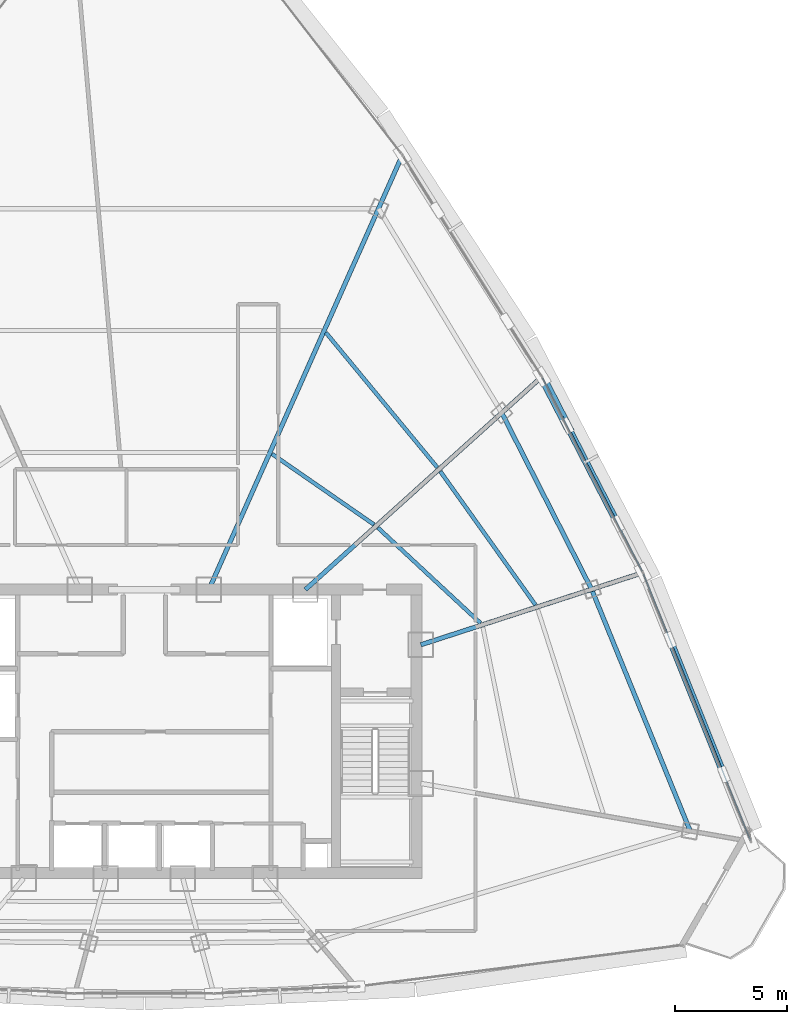
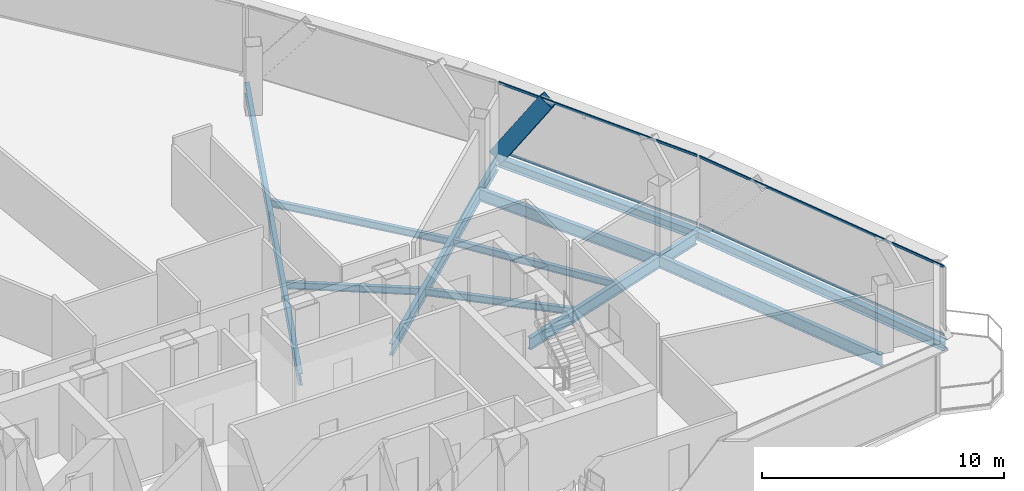
# One storey, part 14 of 30: 11 beams, 5 members, 2 elements without a shape of their own.
"""IFC4 building model written with IfcOpenShell, lengths in metres."""

import ifcopenshell
import ifcopenshell.guid

model = None  # the IFC model being written
_history = None  # IfcOwnerHistory: only IFC2X3 demands one
_inside = {}  # id of a spatial element -> (the spatial element, [elements in it])
_under = {}  # id of a project, library or spatial element -> (it, [spatial elements below it])
_declared = {}  # id of a project -> (the project, [libraries it declares])
_typed = {}  # id of a type object -> (the type object, [elements of that type])
_made_of = {}  # id of a material, layer set ... -> (it, [elements and type objects made of it])


def new_model(schema):
    """Start an empty IFC model of exactly this schema.

    Asked for "IFC4X3", IfcOpenShell would pick the latest addendum, in which some entities
    have other attributes; the version numbers below select the first issue.
    IFC2X3 requires an IfcOwnerHistory on every rooted entity: one is made here for all.
    """
    global model, _history
    if schema == "IFC4X3":
        model = ifcopenshell.file(schema_version=(4, 3, 0, 0))
    else:
        model = ifcopenshell.file(schema=schema)
    _inside.clear()
    _under.clear()
    _declared.clear()
    _typed.clear()
    _made_of.clear()
    _history = None
    if model.schema == "IFC2X3":
        org = make("IfcOrganization", Name="unknown")
        user = make(
            "IfcPersonAndOrganization",
            ThePerson=make("IfcPerson", FamilyName="unknown"),
            TheOrganization=org,
        )
        app = make(
            "IfcApplication",
            ApplicationDeveloper=org,
            Version="unknown",
            ApplicationFullName="unknown",
            ApplicationIdentifier="unknown",
        )
        _history = make(
            "IfcOwnerHistory",
            OwningUser=user,
            OwningApplication=app,
            ChangeAction="ADDED",
            CreationDate=0,
        )
    return model


def make(cls, **values):
    """One entity of the class cls with the attributes given. An attribute that is None is left unset."""
    return model.create_entity(
        cls, **{name: value for name, value in values.items() if value is not None}
    )


def rooted(cls, **values):
    """An entity with a GlobalId (a new one), such as an element, a storey or a relation."""
    return make(cls, GlobalId=ifcopenshell.guid.new(), OwnerHistory=_history, **values)


def si_unit(unit_type, name, prefix=None):
    """IfcSIUnit, for example si_unit("LENGTHUNIT", "METRE", prefix="MILLI")."""
    return make("IfcSIUnit", UnitType=unit_type, Prefix=prefix, Name=name)


def assignment(units):
    """IfcUnitAssignment: the units of a project."""
    return None if units is None else make("IfcUnitAssignment", Units=units)


def point(xyz):
    """IfcCartesianPoint."""
    return None if xyz is None else make("IfcCartesianPoint", Coordinates=xyz)


def direction(xyz):
    """IfcDirection."""
    return None if xyz is None else make("IfcDirection", DirectionRatios=xyz)


def frame(location, z_axis=None, x_axis=None):
    """IfcAxis2Placement3D, a coordinate frame: its origin and axes. An axis left out is left unset."""
    return make(
        "IfcAxis2Placement3D",
        Location=point(location),
        Axis=direction(z_axis),
        RefDirection=direction(x_axis),
    )


def frame_2d(location, x_axis=None):
    """IfcAxis2Placement2D, a coordinate frame in the plane: its origin and x axis."""
    return make(
        "IfcAxis2Placement2D", Location=point(location), RefDirection=direction(x_axis)
    )


def origin():
    """The frame at (0, 0, 0) with its axes left unset."""
    return frame((0.0, 0.0, 0.0))


def origin_2d():
    """The frame at (0, 0) in the plane with its x axis left unset."""
    return frame_2d((0.0, 0.0))


def place(relative_to, where):
    """IfcLocalPlacement: puts the frame where relative to a parent placement (None: the world)."""
    return make(
        "IfcLocalPlacement", PlacementRelTo=relative_to, RelativePlacement=where
    )


def context(
    kind, dimensions, precision=None, world=None, true_north=None, identifier=None
):
    """IfcGeometricRepresentationContext, for example the 3D "Model" context."""
    return make(
        "IfcGeometricRepresentationContext",
        ContextIdentifier=identifier,
        ContextType=kind,
        CoordinateSpaceDimension=dimensions,
        Precision=precision,
        WorldCoordinateSystem=world,
        TrueNorth=true_north,
    )


def subcontext(parent, identifier, kind, view, scale=None):
    """IfcGeometricRepresentationSubContext, for example "Body" below "Model"."""
    return make(
        "IfcGeometricRepresentationSubContext",
        ContextIdentifier=identifier,
        ContextType=kind,
        ParentContext=parent,
        TargetScale=scale,
        TargetView=view,
    )


def project(units=None, contexts=None):
    """IfcProject with its units and contexts."""
    return rooted(
        "IfcProject",
        Name="project",
        RepresentationContexts=contexts,
        UnitsInContext=assignment(units),
    )


def spatial(cls, under=None, at=None, **own):
    """A site, building, storey or space (cls), placed at a placement, below another one or the project."""
    s = rooted(cls, ObjectPlacement=at, **own)
    if under is not None:
        _under.setdefault(under.id(), (under, []))[1].append(s)
    return s


def profile(cls, at=None, kind="AREA", **sizes):
    """A parametric profile (cls). Its sizes go by their IFC names, for example OverallWidth=200.0."""
    return make(cls, ProfileType=kind, Position=at, **sizes)


def hollow_rectangle(**sizes):
    """IfcRectangleHollowProfileDef."""
    return profile("IfcRectangleHollowProfileDef", **sizes)


def i_section(**sizes):
    """IfcIShapeProfileDef."""
    return profile("IfcIShapeProfileDef", **sizes)


def extrude(swept, where, along, depth):
    """IfcExtrudedAreaSolid: the profile swept, set in the frame where, extruded along a direction by depth."""
    return make(
        "IfcExtrudedAreaSolid",
        SweptArea=swept,
        Position=where,
        ExtrudedDirection=direction(along),
        Depth=depth,
    )


def shape(context_of_items, identifier, shape_type, items):
    """IfcShapeRepresentation: the items that make up one representation, for example the "Body"."""
    return make(
        "IfcShapeRepresentation",
        ContextOfItems=context_of_items,
        RepresentationIdentifier=identifier,
        RepresentationType=shape_type,
        Items=items,
    )


def source(mapping_origin, context_of_items, identifier, shape_type, items):
    """IfcRepresentationMap: a shape defined once, which mapped items show again and again."""
    return make(
        "IfcRepresentationMap",
        MappingOrigin=mapping_origin,
        MappedRepresentation=shape(context_of_items, identifier, shape_type, items),
    )


def transform(
    local_origin,
    x_axis=None,
    y_axis=None,
    z_axis=None,
    scale=None,
    scale2=None,
    scale3=None,
    uniform=True,
):
    """IfcCartesianTransformationOperator3D, or its non-uniform kind. x_axis, y_axis, z_axis: its Axis1, 2, 3."""
    if uniform:
        return make(
            "IfcCartesianTransformationOperator3D",
            Axis1=direction(x_axis),
            Axis2=direction(y_axis),
            LocalOrigin=point(local_origin),
            Scale=scale,
            Axis3=direction(z_axis),
        )
    return make(
        "IfcCartesianTransformationOperator3DnonUniform",
        Axis1=direction(x_axis),
        Axis2=direction(y_axis),
        LocalOrigin=point(local_origin),
        Scale=scale,
        Axis3=direction(z_axis),
        Scale2=scale2,
        Scale3=scale3,
    )


def mapped(mapping_source, mapping_target):
    """IfcMappedItem: shows the shape of a source again, moved by a transform."""
    return make(
        "IfcMappedItem", MappingSource=mapping_source, MappingTarget=mapping_target
    )


def material(Name=None, Category=None):
    """IfcMaterial."""
    return make("IfcMaterial", Name=Name, Category=Category)


def layer(
    of_material, thickness, ventilated=None, Name=None, Category=None, Priority=None
):
    """IfcMaterialLayer: one layer of a wall or slab, of a material (None: an air gap)."""
    return make(
        "IfcMaterialLayer",
        Material=of_material,
        LayerThickness=thickness,
        IsVentilated=ventilated,
        Name=Name,
        Category=Category,
        Priority=Priority,
    )


def layer_set(layers, Name=None):
    """IfcMaterialLayerSet."""
    return make("IfcMaterialLayerSet", MaterialLayers=layers, LayerSetName=Name)


def material_profile(
    of_material, cross_section, Name=None, Category=None, Priority=None
):
    """IfcMaterialProfile: a cross section and its material."""
    return make(
        "IfcMaterialProfile",
        Name=Name,
        Material=of_material,
        Profile=cross_section,
        Priority=Priority,
        Category=Category,
    )


def profile_set(profiles, Name=None, composite=None):
    """IfcMaterialProfileSet."""
    return make(
        "IfcMaterialProfileSet",
        Name=Name,
        MaterialProfiles=profiles,
        CompositeProfile=composite,
    )


def made_of(thing, what):
    """Note that an element or type object is made of a material, layer set ...; save() writes the relation."""
    if what is not None:
        _made_of.setdefault(what.id(), (what, []))[1].append(thing)
    return thing


def type_object(cls, material=None, **own):
    """A type object (cls), such as IfcWallType, which elements share."""
    return made_of(rooted(cls, **own), material)


def element(
    cls,
    number,
    at=None,
    inside=None,
    cuts=None,
    type_object=None,
    material=None,
    context=None,
    identifier="Body",
    shape_type=None,
    held_by="IfcProductDefinitionShape",
    body=None,
    shapes=None,
    **own,
):
    """One element of the class cls, such as IfcWall. Its Tag is "e" and its number.

    at: its placement. inside: the storey or other place that contains it. cuts: it is an
    opening in that element (IfcRelVoidsElement). A single representation is given by context,
    identifier, shape_type and body (its items); several are given by shapes. held_by: the class
    of the entity that holds the representations. save() writes the other relations.
    """
    e = rooted(cls, Tag="e%d" % number, ObjectPlacement=at, **own)
    if body is not None:
        shapes = [shape(context, identifier, shape_type, body)]
    if shapes is not None:
        e.Representation = make(held_by, Representations=shapes)
    if inside is not None:
        _inside.setdefault(inside.id(), (inside, []))[1].append(e)
    if cuts is not None:
        rooted(
            "IfcRelVoidsElement", RelatingBuildingElement=cuts, RelatedOpeningElement=e
        )
    if type_object is not None:
        _typed.setdefault(type_object.id(), (type_object, []))[1].append(e)
    return made_of(e, material)


def aggregate(whole, parts):
    """IfcRelAggregates: a whole, such as a stair, and the parts it consists of."""
    return rooted("IfcRelAggregates", RelatingObject=whole, RelatedObjects=parts)


def save(model, path):
    """Write the relations noted so far, then the file.

    IfcRelAggregates (storeys below a building ...), IfcRelContainedInSpatialStructure (elements
    in a storey), IfcRelDefinesByType, IfcRelAssociatesMaterial and IfcRelDeclares: one each for
    every whole, place, type object, material and project.
    """
    for whole, parts in _under.values():
        aggregate(whole, parts)
    for where, things in _inside.values():
        rooted(
            "IfcRelContainedInSpatialStructure",
            RelatedElements=things,
            RelatingStructure=where,
        )
    for kind, things in _typed.values():
        rooted("IfcRelDefinesByType", RelatedObjects=things, RelatingType=kind)
    for what, things in _made_of.values():
        rooted("IfcRelAssociatesMaterial", RelatedObjects=things, RelatingMaterial=what)
    for by, libraries in _declared.values():
        rooted("IfcRelDeclares", RelatingContext=by, RelatedDefinitions=libraries)
    model.write(path)


model = new_model("IFC4")

# Units and contexts
model_context = context("Model", 3, precision=1e-05, world=origin(), true_north=direction((0.0, 1.0)))
body_context = subcontext(model_context, "Body", "Model", "MODEL_VIEW")
ifc_project = project(units=[si_unit("LENGTHUNIT", "METRE"), si_unit("AREAUNIT", "SQUARE_METRE"), si_unit("VOLUMEUNIT", "CUBIC_METRE"), si_unit("PLANEANGLEUNIT", "RADIAN"), si_unit("MASSUNIT", "GRAM", prefix="KILO"), si_unit("THERMODYNAMICTEMPERATUREUNIT", "KELVIN"), si_unit("POWERUNIT", "WATT")], contexts=[model_context])

# Site, building, storey
site_placement = place(None, origin())
site = spatial("IfcSite", under=ifc_project, at=site_placement, CompositionType="ELEMENT")
building_placement = place(site_placement, origin())
building = spatial("IfcBuilding", under=site, at=building_placement, Name="Yunzhuo Pagoda Commons", CompositionType="ELEMENT")
storey_placement = place(building_placement, frame((0.0, 0.0, 351.760009765625)))
storey = spatial("IfcBuildingStorey", under=building, at=storey_placement, Name="L88", CompositionType="ELEMENT", Elevation=351.760009765625)

# Beams
ifc_material_1 = material(Name="Structural steel Q355B", Category="steel")
ifc_material_profile_1 = material_profile(ifc_material_1, i_section(OverallWidth=0.199951171875, OverallDepth=0.60009765625, WebThickness=0.010986328125, FlangeThickness=0.01708984375, at=origin_2d()), Name="Structural steel Q355B")
ifc_profile_set_1 = profile_set([ifc_material_profile_1], Name="Structural steel Q355B")
beam_type_1 = type_object("IfcBeamType", Name="B-RG3 Beam HN 600x200x11x17", PredefinedType="BEAM", material=ifc_profile_set_1)
shared_shape_1 = source(origin(), body_context, "Body", "SweptSolid", [
    extrude(i_section(OverallWidth=0.199951171875, OverallDepth=0.60009765625, WebThickness=0.010986328125, FlangeThickness=0.01708984375, at=origin_2d()), origin(), (0.0, 0.0, 1.0), 11.696533203125),
])
beam_1_placement = place(storey_placement, frame((72.47021484375, 29.38525390625, -0.56005859375), z_axis=(-0.377611800863, 0.925963999219, 0.0), x_axis=(-0.925963999219, -0.377611800863, 0.0)))
element("IfcBeam", 1, at=beam_1_placement, inside=storey, type_object=beam_type_1, Name="L88 column-ring beam 5", PredefinedType="BEAM", context=body_context, shape_type="MappedRepresentation", body=[
    mapped(shared_shape_1, transform((0.0, 0.0, 0.0), scale=1.0)),
])
shared_shape_2 = source(origin(), body_context, "Body", "SweptSolid", [
    extrude(i_section(OverallWidth=0.199951171875, OverallDepth=0.60009765625, WebThickness=0.010986328125, FlangeThickness=0.01708984375, at=origin_2d()), origin(), (0.0, 0.0, 1.0), 8.87939453125),
])
beam_2_placement = place(storey_placement, frame((68.053466796875, 40.2158203125, -0.56005859375), z_axis=(-0.453723535687, 0.891142498798, 0.0), x_axis=(-0.891142498798, -0.453723535687, 0.0)))
element("IfcBeam", 2, at=beam_2_placement, inside=storey, type_object=beam_type_1, Name="L88 column-ring beam 6", PredefinedType="BEAM", context=body_context, shape_type="MappedRepresentation", body=[
    mapped(shared_shape_2, transform((0.0, 0.0, 0.0), scale=1.0)),
])
ifc_material_profile_2 = material_profile(ifc_material_1, i_section(OverallWidth=0.175048828125, OverallDepth=0.35009765625, WebThickness=0.007080078125, FlangeThickness=0.010986328125, at=origin_2d()), Name="Structural steel Q355B")
ifc_profile_set_2 = profile_set([ifc_material_profile_2], Name="Structural steel Q355B")
beam_type_2 = type_object("IfcBeamType", Name="B-JS2 Joist HN 350x175x7x11", PredefinedType="JOIST", material=ifc_profile_set_2)
shared_shape_3 = source(origin(), body_context, "Body", "SweptSolid", [
    extrude(i_section(OverallWidth=0.175048828125, OverallDepth=0.35009765625, WebThickness=0.007080078125, FlangeThickness=0.010986328125, at=origin_2d()), origin(), (0.0, 0.0, 1.0), 6.277099609375),
])
beam_3_placement = place(storey_placement, frame((63.071044921875, 38.702392578125, -0.43505859375), z_axis=(-0.73244154109, 0.68082992655, 0.0), x_axis=(-0.68082992655, -0.73244154109, 0.0)))
element("IfcBeam", 3, at=beam_3_placement, inside=storey, type_object=beam_type_2, Name="L88 composite ring joist 1.6", PredefinedType="JOIST", context=body_context, shape_type="MappedRepresentation", body=[
    mapped(shared_shape_3, transform((0.0, 0.0, 0.0), scale=1.0)),
])
shared_shape_4 = source(origin(), body_context, "Body", "SweptSolid", [
    extrude(i_section(OverallWidth=0.175048828125, OverallDepth=0.35009765625, WebThickness=0.007080078125, FlangeThickness=0.010986328125, at=origin_2d()), origin(), (0.0, 0.0, 1.0), 7.347900390625),
])
beam_4_placement = place(storey_placement, frame((65.53759765625, 39.513671875, -0.43505859375), z_axis=(-0.580294898948, 0.814406428177, 0.0), x_axis=(-0.814406428177, -0.580294898948, 0.0)))
element("IfcBeam", 4, at=beam_4_placement, inside=storey, type_object=beam_type_2, Name="L88 composite ring joist 2.6", PredefinedType="JOIST", context=body_context, shape_type="MappedRepresentation", body=[
    mapped(shared_shape_4, transform((0.0, 0.0, 0.0), scale=1.0)),
])
shared_shape_5 = source(origin(), body_context, "Body", "SweptSolid", [
    extrude(i_section(OverallWidth=0.175048828125, OverallDepth=0.35009765625, WebThickness=0.007080078125, FlangeThickness=0.010986328125, at=origin_2d()), origin(), (0.0, 0.0, 1.0), 5.556640625),
])
beam_5_placement = place(storey_placement, frame((58.29443359375, 43.119873046875, -0.43505859375), z_axis=(-0.822084621883, 0.569365326011, 0.0), x_axis=(-0.569365326011, -0.822084621883, 0.0)))
element("IfcBeam", 5, at=beam_5_placement, inside=storey, type_object=beam_type_2, Name="L88 composite ring joist 1.7", PredefinedType="JOIST", context=body_context, shape_type="MappedRepresentation", body=[
    mapped(shared_shape_5, transform((0.0, 0.0, 0.0), scale=1.0)),
])
shared_shape_6 = source(origin(), body_context, "Body", "SweptSolid", [
    extrude(i_section(OverallWidth=0.175048828125, OverallDepth=0.35009765625, WebThickness=0.007080078125, FlangeThickness=0.010986328125, at=origin_2d()), origin(), (0.0, 0.0, 1.0), 7.842529296875),
])
beam_6_placement = place(storey_placement, frame((61.133544921875, 45.68017578125, -0.43505859375), z_axis=(-0.636899145749, 0.770947130577, 0.0), x_axis=(-0.770947130577, -0.636899145749, 0.0)))
element("IfcBeam", 6, at=beam_6_placement, inside=storey, type_object=beam_type_2, Name="L88 composite ring joist 2.7", PredefinedType="JOIST", context=body_context, shape_type="MappedRepresentation", body=[
    mapped(shared_shape_6, transform((0.0, 0.0, 0.0), scale=1.0)),
])
shared_shape_7 = source(origin(), body_context, "Body", "SweptSolid", [
    extrude(i_section(OverallWidth=0.199951171875, OverallDepth=0.60009765625, WebThickness=0.010986328125, FlangeThickness=0.01708984375, at=origin_2d()), origin(), (0.0, 0.0, 1.0), 10.31103515625),
])
beam_7_placement = place(storey_placement, frame((70.206298828125, 40.915283203125, -0.56005859375), z_axis=(-0.951056860321, -0.30901593557, 0.0), x_axis=(0.30901593557, -0.951056860321, 0.0)))
element("IfcBeam", 7, at=beam_7_placement, inside=storey, type_object=beam_type_1, Name="L88 radial floor girder F2C2", PredefinedType="BEAM", context=body_context, shape_type="MappedRepresentation", body=[
    mapped(shared_shape_7, transform((0.0, 0.0, 0.0), scale=1.0)),
])
shared_shape_8 = source(origin(), body_context, "Body", "SweptSolid", [
    extrude(i_section(OverallWidth=0.199951171875, OverallDepth=0.60009765625, WebThickness=0.010986328125, FlangeThickness=0.01708984375, at=origin_2d()), origin(), (0.0, 0.0, 1.0), 14.1162109375),
])
beam_8_placement = place(storey_placement, frame((65.70947265625, 49.6455078125, -0.56005859375), z_axis=(-0.743148793386, -0.669126199523, 0.0), x_axis=(0.669126199523, -0.743148793386, 0.0)))
element("IfcBeam", 8, at=beam_8_placement, inside=storey, type_object=beam_type_1, Name="L88 radial floor girder F2C3", PredefinedType="BEAM", context=body_context, shape_type="MappedRepresentation", body=[
    mapped(shared_shape_8, transform((0.0, 0.0, 0.0), scale=1.0)),
])
shared_shape_9 = source(origin(), body_context, "Body", "SweptSolid", [
    extrude(i_section(OverallWidth=0.199951171875, OverallDepth=0.60009765625, WebThickness=0.010986328125, FlangeThickness=0.01708984375, at=origin_2d()), origin(), (0.0, 0.0, 1.0), 21.180908203125),
])
beam_9_placement = place(storey_placement, frame((59.509033203125, 59.5498046875, -0.56005859375), z_axis=(-0.406731930352, -0.913547555868, 0.0), x_axis=(0.913547555868, -0.406731930352, 0.0)))
element("IfcBeam", 9, at=beam_9_placement, inside=storey, type_object=beam_type_1, Name="L88 radial floor girder F2C4", PredefinedType="BEAM", context=body_context, shape_type="MappedRepresentation", body=[
    mapped(shared_shape_9, transform((0.0, 0.0, 0.0), scale=1.0)),
])
ifc_material_profile_3 = material_profile(ifc_material_1, i_section(OverallWidth=0.300048828125, OverallDepth=0.43994140625, WebThickness=0.010986328125, FlangeThickness=0.01806640625, at=origin_2d()), Name="Structural steel Q355B")
ifc_profile_set_3 = profile_set([ifc_material_profile_3], Name="Structural steel Q355B")
beam_type_3 = type_object("IfcBeamType", Name="B-SP2 Beam HM 440x300x11x18", PredefinedType="BEAM", material=ifc_profile_set_3)
shared_shape_10 = source(origin(), body_context, "Body", "SweptSolid", [
    extrude(i_section(OverallWidth=0.300048828125, OverallDepth=0.43994140625, WebThickness=0.010986328125, FlangeThickness=0.01806640625, at=origin_2d()), origin(), (0.0, 0.0, 1.0), 12.9931640625),
])
beam_10_placement = place(storey_placement, frame((75.19384765625, 28.905029296875, -0.47998046875), z_axis=(-0.372508077286, 0.928028950172, 0.0), x_axis=(-0.928028950172, -0.372508077286, 0.0)))
element("IfcBeam", 10, at=beam_10_placement, inside=storey, type_object=beam_type_3, Name="L88 facade edge spandrel beam F2.1", PredefinedType="BEAM", context=body_context, shape_type="MappedRepresentation", body=[
    mapped(shared_shape_10, transform((0.0, 0.0, 0.0), scale=1.0)),
])
shared_shape_11 = source(origin(), body_context, "Body", "SweptSolid", [
    extrude(i_section(OverallWidth=0.300048828125, OverallDepth=0.43994140625, WebThickness=0.010986328125, FlangeThickness=0.01806640625, at=origin_2d()), origin(), (0.0, 0.0, 1.0), 9.884765625),
])
beam_11_placement = place(storey_placement, frame((70.353759765625, 40.963134765625, -0.47998046875), z_axis=(-0.458204989811, 0.888846548799, 0.0), x_axis=(-0.888846548799, -0.458204989811, 0.0)))
element("IfcBeam", 11, at=beam_11_placement, inside=storey, type_object=beam_type_3, Name="L88 facade edge spandrel beam F2.2", PredefinedType="BEAM", context=body_context, shape_type="MappedRepresentation", body=[
    mapped(shared_shape_11, transform((0.0, 0.0, 0.0), scale=1.0)),
])

# Member
ifc_material_profile_4 = material_profile(ifc_material_1, hollow_rectangle(XDim=0.3798828125, YDim=0.719970703125, WallThickness=0.02001953125, at=origin_2d()), Name="Structural steel Q355B")
ifc_profile_set_4 = profile_set([ifc_material_profile_4], Name="Structural steel Q355B")
member_type_1 = type_object("IfcMemberType", Name="M-DL3 Brace BOX 720x380x20", PredefinedType="BRACE", material=ifc_profile_set_4)
shared_shape_12 = source(origin(), body_context, "Body", "SweptSolid", [
    extrude(hollow_rectangle(XDim=0.3798828125, YDim=0.719970703125, WallThickness=0.02001953125, at=origin_2d()), origin(), (0.0, 0.0, 1.0), 4.490966796875),
])
member_1_placement = place(storey_placement, frame((65.824462890625, 49.749267578125, -0.260009765625), z_axis=(0.252129772471, -0.489092618138, 0.834996400422), x_axis=(0.888846548799, 0.458204989811, 0.0)))
element("IfcMember", 12, at=member_1_placement, inside=storey, type_object=member_type_1, Name="L88 facade diamond brace F2.2R", PredefinedType="BRACE", context=body_context, shape_type="MappedRepresentation", body=[
    mapped(shared_shape_12, transform((0.0, 0.0, 0.0), scale=1.0)),
])

# Curtain wall, members
ifc_material_2 = material(Name="Anodized aluminium 6063-T6", Category="aluminium")
ifc_layer = layer(ifc_material_2, 0.139892578125)
ifc_layer_set = layer_set([ifc_layer], Name="Anodized aluminium 6063-T6")
curtain_wall_type = type_object("IfcCurtainWallType", Name="CW-HI High-Zone Ribbon Curtain Wall", PredefinedType="NOTDEFINED", material=ifc_layer_set)
curtain_wall_1_placement = place(storey_placement, origin())
curtain_wall_1 = element("IfcCurtainWall", 13, at=curtain_wall_1_placement, inside=storey, type_object=curtain_wall_type, Name="L88 curtain wall CW-L88-F2B2", PredefinedType="NOTDEFINED")
ifc_material_profile_5 = material_profile(ifc_material_2, hollow_rectangle(XDim=0.054931640625, YDim=0.1201171875, WallThickness=0.00341796875, at=origin_2d()), Name="Anodized aluminium 6063-T6")
ifc_profile_set_5 = profile_set([ifc_material_profile_5], Name="Anodized aluminium 6063-T6")
member_type_2 = type_object("IfcMemberType", Name="CW-HI-T Transom RHS 120x55x3.5", PredefinedType="USERDEFINED", material=ifc_profile_set_5)
shared_shape_13 = source(origin(), body_context, "Body", "SweptSolid", [
    extrude(hollow_rectangle(XDim=0.054931640625, YDim=0.1201171875, WallThickness=0.00341796875, at=origin_2d()), origin(), (0.0, 0.0, 1.0), 12.873046875),
])
member_2_placement = place(storey_placement, frame((75.171142578125, 28.960693359375, 0.027587890625), z_axis=(-0.372476015207, 0.928041819152, 0.0), x_axis=(-0.928041819152, -0.372476015207, 0.0)))
member_2 = element("IfcMember", 14, at=member_2_placement, type_object=member_type_2, Name="CW transom 1.1", ObjectType="TRANSOM", PredefinedType="USERDEFINED", context=body_context, shape_type="MappedRepresentation", body=[
    mapped(shared_shape_13, transform((0.0, 0.0, 0.0), scale=1.0)),
])
member_3_placement = place(storey_placement, frame((75.171142578125, 28.960693359375, 3.46240234375), z_axis=(-0.372476015207, 0.928041819152, 0.0), x_axis=(-0.928041819152, -0.372476015207, 0.0)))
member_3 = element("IfcMember", 15, at=member_3_placement, type_object=member_type_2, Name="CW transom 1.2", ObjectType="TRANSOM", PredefinedType="USERDEFINED", context=body_context, shape_type="MappedRepresentation", body=[
    mapped(shared_shape_13, transform((0.0, 0.0, 0.0), scale=1.0)),
])
aggregate(curtain_wall_1, [member_2, member_3])

curtain_wall_2_placement = place(storey_placement, origin())
curtain_wall_2 = element("IfcCurtainWall", 16, at=curtain_wall_2_placement, inside=storey, type_object=curtain_wall_type, Name="L88 curtain wall CW-L88-F2B3", PredefinedType="NOTDEFINED")
shared_shape_14 = source(origin(), body_context, "Body", "SweptSolid", [
    extrude(hollow_rectangle(XDim=0.054931640625, YDim=0.1201171875, WallThickness=0.00341796875, at=origin_2d()), origin(), (0.0, 0.0, 1.0), 9.764892578125),
])
member_4_placement = place(storey_placement, frame((70.326416015625, 41.0166015625, 0.027587890625), z_axis=(-0.458210436788, 0.888843740833, 0.0), x_axis=(-0.888843740833, -0.458210436788, 0.0)))
member_4 = element("IfcMember", 17, at=member_4_placement, type_object=member_type_2, Name="CW transom 1.1", ObjectType="TRANSOM", PredefinedType="USERDEFINED", context=body_context, shape_type="MappedRepresentation", body=[
    mapped(shared_shape_14, transform((0.0, 0.0, 0.0), scale=1.0)),
])
member_5_placement = place(storey_placement, frame((70.326416015625, 41.0166015625, 3.46240234375), z_axis=(-0.458210436788, 0.888843740833, 0.0), x_axis=(-0.888843740833, -0.458210436788, 0.0)))
member_5 = element("IfcMember", 18, at=member_5_placement, type_object=member_type_2, Name="CW transom 1.2", ObjectType="TRANSOM", PredefinedType="USERDEFINED", context=body_context, shape_type="MappedRepresentation", body=[
    mapped(shared_shape_14, transform((0.0, 0.0, 0.0), scale=1.0)),
])
aggregate(curtain_wall_2, [member_4, member_5])

save(model, "model.ifc")
